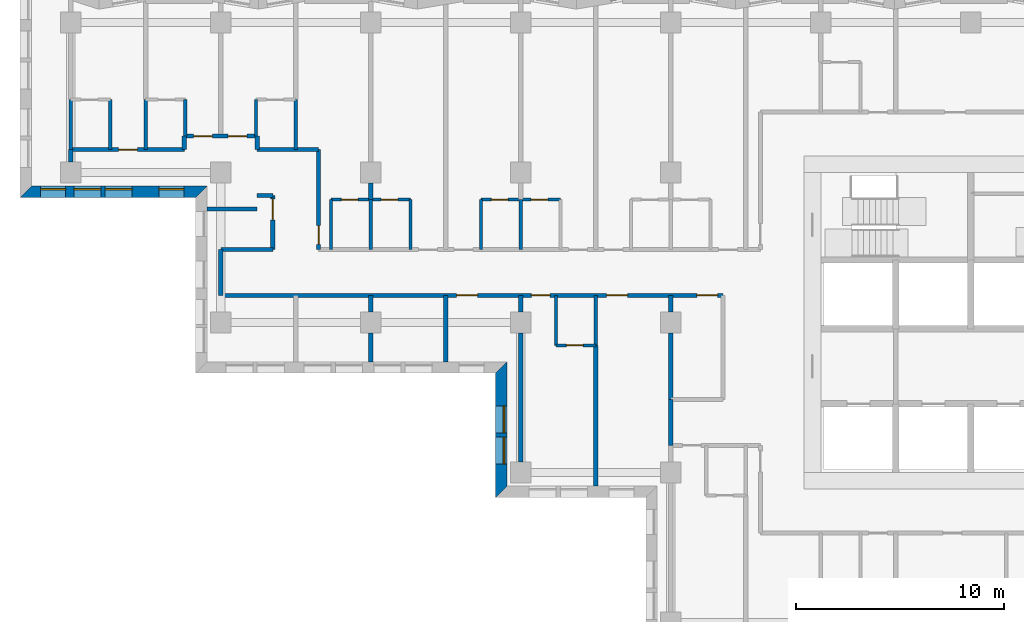
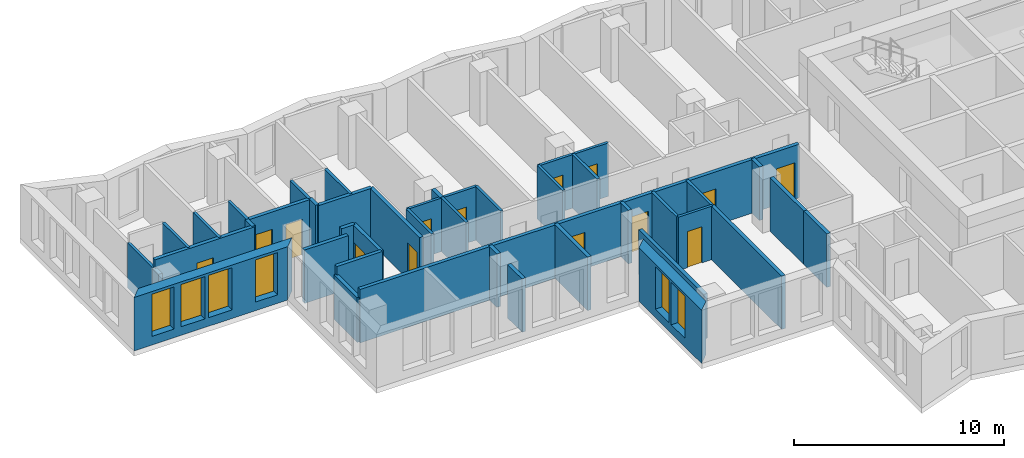
# One storey, part 4 of 14: 41 walls, 14 doors, 6 windows, 20 openings.
"""IFC4 building model written with IfcOpenShell, lengths in metres."""

from ifc_helpers import new_model, si_unit, direction, frame, frame_2d, origin, place, context, subcontext, project, spatial, polyline, rectangle, outline, extrude, material, layer, layer_set, type_object, element, fill, save


model = new_model("IFC4")

# Units and contexts
model_context = context("Model", 3, precision=1e-05, world=origin(), true_north=direction((0.0, 1.0)))
body_context = subcontext(model_context, "Body", "Model", "MODEL_VIEW")
ifc_project = project(units=[si_unit("LENGTHUNIT", "METRE"), si_unit("AREAUNIT", "SQUARE_METRE"), si_unit("VOLUMEUNIT", "CUBIC_METRE"), si_unit("PLANEANGLEUNIT", "RADIAN"), si_unit("MASSUNIT", "GRAM", prefix="KILO")], contexts=[model_context])

# Site, building, storey
site_placement = place(None, origin())
site = spatial("IfcSite", under=ifc_project, at=site_placement, CompositionType="ELEMENT")
building_placement = place(site_placement, origin())
building = spatial("IfcBuilding", under=site, at=building_placement, Name="Windrow Commons", CompositionType="ELEMENT")
storey_placement = place(building_placement, frame((0.0, 0.0, 118.6)))
storey = spatial("IfcBuildingStorey", under=building, at=storey_placement, Name="L32", CompositionType="ELEMENT", Elevation=118.6)

# Wall, openings, windows
ifc_material_1 = material(Name="Brick masonry, red clay brick", Category="masonry")
ifc_layer_1 = layer(ifc_material_1, 0.55)
ifc_layer_set_1 = layer_set([ifc_layer_1], Name="Brick facade wall 550")
wall_type_1 = type_object("IfcWallType", Name="Brick facade wall 550", PredefinedType="SOLIDWALL", material=ifc_layer_set_1)
wall_1_placement = place(storey_placement, frame((19.442, 63.875, 0.0), z_axis=(0.0, 0.0, 1.0), x_axis=(1.0, 0.0, 0.0)))
wall_1 = element("IfcWall", 1, at=wall_1_placement, inside=storey, type_object=wall_type_1, Name="Brick facade wall L32 38", PredefinedType="SOLIDWALL", context=body_context, shape_type="SweptSolid", body=[
    extrude(outline(polyline([(-0.275, -0.275), (8.158, -0.275), (8.708, 0.275), (0.275, 0.275), (-0.275, -0.275)])), origin(), (0.0, 0.0, 1.0), 3.1),
])
opening_1_placement = place(wall_1_placement, frame((2.308, 0.0, 0.5)))
opening_1 = element("IfcOpeningElement", 2, at=opening_1_placement, cuts=wall_1, Name="Opening W1P", PredefinedType="OPENING", context=body_context, shape_type="SweptSolid", body=[
    extrude(rectangle(XDim=1.3, YDim=2.45, at=frame_2d((0.65, 1.225))), frame((0.0, 0.285, 0.0), z_axis=(0.0, -1.0, 0.0), x_axis=(1.0, 0.0, 0.0)), (0.0, 0.0, 1.0), 0.57),
])
opening_2_placement = place(wall_1_placement, frame((3.808, 0.0, 0.5)))
opening_2 = element("IfcOpeningElement", 3, at=opening_2_placement, cuts=wall_1, Name="Opening W1P", PredefinedType="OPENING", context=body_context, shape_type="SweptSolid", body=[
    extrude(rectangle(XDim=1.3, YDim=2.45, at=frame_2d((0.65, 1.225))), frame((0.0, 0.285, 0.0), z_axis=(0.0, -1.0, 0.0), x_axis=(1.0, 0.0, 0.0)), (0.0, 0.0, 1.0), 0.57),
])
opening_3_placement = place(wall_1_placement, frame((0.7165, 0.0, 0.5)))
opening_3 = element("IfcOpeningElement", 4, at=opening_3_placement, cuts=wall_1, Name="Opening W7D", PredefinedType="OPENING", context=body_context, shape_type="SweptSolid", body=[
    extrude(rectangle(XDim=1.2, YDim=2.45, at=frame_2d((0.6, 1.225))), frame((0.0, 0.285, 0.0), z_axis=(0.0, -1.0, 0.0), x_axis=(1.0, 0.0, 0.0)), (0.0, 0.0, 1.0), 0.57),
])
opening_4_placement = place(wall_1_placement, frame((6.3955, 0.0, 0.5)))
opening_4 = element("IfcOpeningElement", 5, at=opening_4_placement, cuts=wall_1, Name="Opening W7D", PredefinedType="OPENING", context=body_context, shape_type="SweptSolid", body=[
    extrude(rectangle(XDim=1.2, YDim=2.45, at=frame_2d((0.6, 1.225))), frame((0.0, 0.285, 0.0), z_axis=(0.0, -1.0, 0.0), x_axis=(1.0, 0.0, 0.0)), (0.0, 0.0, 1.0), 0.57),
])
ifc_material_2 = material(Name="Clear float glass in anodised aluminium frame", Category="aluminium")
window_type_1 = type_object("IfcWindowType", Name="Window W1P pair 1300x2450", PartitioningType="SINGLE_PANEL", PredefinedType="WINDOW", material=ifc_material_2)
window_1_placement = place(opening_1_placement, origin())
window_1 = element("IfcWindow", 6, at=window_1_placement, inside=storey, type_object=window_type_1, Name="Window L32 38.1A", OverallHeight=2.45, OverallWidth=1.3, PartitioningType="SINGLE_PANEL", PredefinedType="WINDOW", context=body_context, shape_type="SweptSolid", body=[
    extrude(rectangle(XDim=1.3, YDim=2.45, at=frame_2d((0.65, 1.225))), frame((0.0, 0.155, 0.0), z_axis=(0.0, -1.0, 0.0), x_axis=(1.0, 0.0, 0.0)), (0.0, 0.0, 1.0), 0.06),
])
fill(opening_1, window_1)
window_2_placement = place(opening_2_placement, origin())
window_2 = element("IfcWindow", 7, at=window_2_placement, inside=storey, type_object=window_type_1, Name="Window L32 38.1B", OverallHeight=2.45, OverallWidth=1.3, PartitioningType="SINGLE_PANEL", PredefinedType="WINDOW", context=body_context, shape_type="SweptSolid", body=[
    extrude(rectangle(XDim=1.3, YDim=2.45, at=frame_2d((0.65, 1.225))), frame((0.0, 0.155, 0.0), z_axis=(0.0, -1.0, 0.0), x_axis=(1.0, 0.0, 0.0)), (0.0, 0.0, 1.0), 0.06),
])
fill(opening_2, window_2)
ifc_material_3 = material(Name="Clear float glass in anodised aluminium frame", Category="aluminium")
window_type_2 = type_object("IfcWindowType", Name="Window W7 notch 1200x2450", PartitioningType="SINGLE_PANEL", PredefinedType="WINDOW", material=ifc_material_3)
window_3_placement = place(opening_3_placement, origin())
window_3 = element("IfcWindow", 8, at=window_3_placement, inside=storey, type_object=window_type_2, Name="Window L32 38.2", OverallHeight=2.45, OverallWidth=1.2, PartitioningType="SINGLE_PANEL", PredefinedType="WINDOW", context=body_context, shape_type="SweptSolid", body=[
    extrude(rectangle(XDim=1.2, YDim=2.45, at=frame_2d((0.6, 1.225))), frame((0.0, 0.155, 0.0), z_axis=(0.0, -1.0, 0.0), x_axis=(1.0, 0.0, 0.0)), (0.0, 0.0, 1.0), 0.06),
])
fill(opening_3, window_3)
window_4_placement = place(opening_4_placement, origin())
window_4 = element("IfcWindow", 9, at=window_4_placement, inside=storey, type_object=window_type_2, Name="Window L32 38.3", OverallHeight=2.45, OverallWidth=1.2, PartitioningType="SINGLE_PANEL", PredefinedType="WINDOW", context=body_context, shape_type="SweptSolid", body=[
    extrude(rectangle(XDim=1.2, YDim=2.45, at=frame_2d((0.6, 1.225))), frame((0.0, 0.155, 0.0), z_axis=(0.0, -1.0, 0.0), x_axis=(1.0, 0.0, 0.0)), (0.0, 0.0, 1.0), 0.06),
])
fill(opening_4, window_4)

wall_2_placement = place(storey_placement, frame((42.275, 55.442, 0.0), z_axis=(0.0, 0.0, 1.0), x_axis=(0.0, -1.0, 0.0)))
wall_2 = element("IfcWall", 10, at=wall_2_placement, inside=storey, type_object=wall_type_1, Name="Brick facade wall L32 41", PredefinedType="SOLIDWALL", context=body_context, shape_type="SweptSolid", body=[
    extrude(outline(polyline([(0.275, -0.275), (6.242, -0.275), (5.692, 0.275), (-0.275, 0.275), (0.275, -0.275)])), origin(), (0.0, 0.0, 1.0), 3.1),
])
opening_5_placement = place(wall_2_placement, frame((1.842, 0.0, 0.5)))
opening_5 = element("IfcOpeningElement", 11, at=opening_5_placement, cuts=wall_2, Name="Opening W1P", PredefinedType="OPENING", context=body_context, shape_type="SweptSolid", body=[
    extrude(rectangle(XDim=1.3, YDim=2.45, at=frame_2d((0.65, 1.225))), frame((0.0, 0.285, 0.0), z_axis=(0.0, -1.0, 0.0), x_axis=(1.0, 0.0, 0.0)), (0.0, 0.0, 1.0), 0.57),
])
opening_6_placement = place(wall_2_placement, frame((3.342, 0.0, 0.5)))
opening_6 = element("IfcOpeningElement", 12, at=opening_6_placement, cuts=wall_2, Name="Opening W1P", PredefinedType="OPENING", context=body_context, shape_type="SweptSolid", body=[
    extrude(rectangle(XDim=1.3, YDim=2.45, at=frame_2d((0.65, 1.225))), frame((0.0, 0.285, 0.0), z_axis=(0.0, -1.0, 0.0), x_axis=(1.0, 0.0, 0.0)), (0.0, 0.0, 1.0), 0.57),
])
window_5_placement = place(opening_5_placement, origin())
window_5 = element("IfcWindow", 13, at=window_5_placement, inside=storey, type_object=window_type_1, Name="Window L32 41.1A", OverallHeight=2.45, OverallWidth=1.3, PartitioningType="SINGLE_PANEL", PredefinedType="WINDOW", context=body_context, shape_type="SweptSolid", body=[
    extrude(rectangle(XDim=1.3, YDim=2.45, at=frame_2d((0.65, 1.225))), frame((0.0, 0.155, 0.0), z_axis=(0.0, -1.0, 0.0), x_axis=(1.0, 0.0, 0.0)), (0.0, 0.0, 1.0), 0.06),
])
fill(opening_5, window_5)
window_6_placement = place(opening_6_placement, origin())
window_6 = element("IfcWindow", 14, at=window_6_placement, inside=storey, type_object=window_type_1, Name="Window L32 41.1B", OverallHeight=2.45, OverallWidth=1.3, PartitioningType="SINGLE_PANEL", PredefinedType="WINDOW", context=body_context, shape_type="SweptSolid", body=[
    extrude(rectangle(XDim=1.3, YDim=2.45, at=frame_2d((0.65, 1.225))), frame((0.0, 0.155, 0.0), z_axis=(0.0, -1.0, 0.0), x_axis=(1.0, 0.0, 0.0)), (0.0, 0.0, 1.0), 0.06),
])
fill(opening_6, window_6)

# Wall, openings, doors
ifc_material_4 = material(Name="Blockwork partition", Category="masonry")
ifc_layer_2 = layer(ifc_material_4, 0.2)
ifc_layer_set_2 = layer_set([ifc_layer_2], Name="IW-CORRIDOR-200")
wall_type_2 = type_object("IfcWallType", Name="IW-CORRIDOR-200", PredefinedType="PARTITIONING", material=ifc_layer_set_2)
wall_3_placement = place(storey_placement, frame((28.802, 58.9, 0.0), z_axis=(0.0, 0.0, 1.0), x_axis=(1.0, 0.0, 0.0)))
wall_3 = element("IfcWall", 15, at=wall_3_placement, inside=storey, type_object=wall_type_2, Name="W-L32-W000", PredefinedType="PARTITIONING", context=body_context, shape_type="SweptSolid", body=[
    extrude(rectangle(XDim=24.098, YDim=0.2, at=frame_2d((12.049, 0.0))), origin(), (0.0, 0.0, 1.0), 3.1),
])
opening_7_placement = place(wall_3_placement, frame((11.323, 0.0, 0.0)))
opening_7 = element("IfcOpeningElement", 16, at=opening_7_placement, cuts=wall_3, Name="Opening D310F", PredefinedType="OPENING", context=body_context, shape_type="SweptSolid", body=[
    extrude(rectangle(XDim=1.0, YDim=2.1, at=frame_2d((0.5, 1.05))), frame((0.0, 0.11, 0.0), z_axis=(0.0, -1.0, 0.0), x_axis=(1.0, 0.0, 0.0)), (0.0, 0.0, 1.0), 0.22),
])
opening_8_placement = place(wall_3_placement, frame((14.908, 0.0, 0.0)))
opening_8 = element("IfcOpeningElement", 17, at=opening_8_placement, cuts=wall_3, Name="Opening D109S", PredefinedType="OPENING", context=body_context, shape_type="SweptSolid", body=[
    extrude(rectangle(XDim=0.9, YDim=2.1, at=frame_2d((0.45, 1.05))), frame((0.0, 0.11, 0.0), z_axis=(0.0, -1.0, 0.0), x_axis=(1.0, 0.0, 0.0)), (0.0, 0.0, 1.0), 0.22),
])
opening_9_placement = place(wall_3_placement, frame((18.523, 0.0, 0.0)))
opening_9 = element("IfcOpeningElement", 18, at=opening_9_placement, cuts=wall_3, Name="Opening D310F", PredefinedType="OPENING", context=body_context, shape_type="SweptSolid", body=[
    extrude(rectangle(XDim=1.0, YDim=2.1, at=frame_2d((0.5, 1.05))), frame((0.0, 0.11, 0.0), z_axis=(0.0, -1.0, 0.0), x_axis=(1.0, 0.0, 0.0)), (0.0, 0.0, 1.0), 0.22),
])
opening_10_placement = place(wall_3_placement, frame((22.8451, 0.0, 0.0)))
opening_10 = element("IfcOpeningElement", 19, at=opening_10_placement, cuts=wall_3, Name="Opening D410F", PredefinedType="OPENING", context=body_context, shape_type="SweptSolid", body=[
    extrude(rectangle(XDim=1.0, YDim=2.1, at=frame_2d((0.5, 1.05))), frame((0.0, 0.11, 0.0), z_axis=(0.0, -1.0, 0.0), x_axis=(1.0, 0.0, 0.0)), (0.0, 0.0, 1.0), 0.22),
])
ifc_material_5 = material(Name="Timber door leaf", Category="wood")
door_type_1 = type_object("IfcDoorType", Name="DT-AMENITY-1000", OperationType="SINGLE_SWING_LEFT", PredefinedType="DOOR", material=ifc_material_5)
door_1_placement = place(opening_7_placement, origin())
door_1 = element("IfcDoor", 20, at=door_1_placement, inside=storey, type_object=door_type_1, Name="D-L32-D003", OperationType="SINGLE_SWING_RIGHT", OverallHeight=2.1, OverallWidth=1.0, PredefinedType="DOOR", context=body_context, shape_type="SweptSolid", body=[
    extrude(rectangle(XDim=1.0, YDim=2.1, at=frame_2d((0.5, 1.05))), frame((0.0, 0.025, 0.0), z_axis=(0.0, -1.0, 0.0), x_axis=(1.0, 0.0, 0.0)), (0.0, 0.0, 1.0), 0.05),
])
fill(opening_7, door_1)
door_2_placement = place(opening_9_placement, origin())
door_2 = element("IfcDoor", 21, at=door_2_placement, inside=storey, type_object=door_type_1, Name="D-L32-D006", OperationType="SINGLE_SWING_RIGHT", OverallHeight=2.1, OverallWidth=1.0, PredefinedType="DOOR", context=body_context, shape_type="SweptSolid", body=[
    extrude(rectangle(XDim=1.0, YDim=2.1, at=frame_2d((0.5, 1.05))), frame((0.0, 0.025, 0.0), z_axis=(0.0, -1.0, 0.0), x_axis=(1.0, 0.0, 0.0)), (0.0, 0.0, 1.0), 0.05),
])
fill(opening_9, door_2)
ifc_material_6 = material(Name="Timber door leaf", Category="wood")
door_type_2 = type_object("IfcDoorType", Name="DT-BEDROOM-900", OperationType="SINGLE_SWING_LEFT", PredefinedType="DOOR", material=ifc_material_6)
door_3_placement = place(opening_8_placement, origin())
door_3 = element("IfcDoor", 22, at=door_3_placement, inside=storey, type_object=door_type_2, Name="D-L32-D004", OperationType="SINGLE_SWING_LEFT", OverallHeight=2.1, OverallWidth=0.9, PredefinedType="DOOR", context=body_context, shape_type="SweptSolid", body=[
    extrude(rectangle(XDim=0.9, YDim=2.1, at=frame_2d((0.45, 1.05))), frame((0.0, 0.025, 0.0), z_axis=(0.0, -1.0, 0.0), x_axis=(1.0, 0.0, 0.0)), (0.0, 0.0, 1.0), 0.05),
])
fill(opening_8, door_3)
ifc_material_7 = material(Name="Timber door leaf", Category="wood")
door_type_3 = type_object("IfcDoorType", Name="DT-SERVICE-1000", OperationType="SINGLE_SWING_LEFT", PredefinedType="DOOR", material=ifc_material_7)
door_4_placement = place(opening_10_placement, origin())
door_4 = element("IfcDoor", 23, at=door_4_placement, inside=storey, type_object=door_type_3, Name="D-L32-D010", OperationType="SINGLE_SWING_LEFT", OverallHeight=2.1, OverallWidth=1.0, PredefinedType="DOOR", context=body_context, shape_type="SweptSolid", body=[
    extrude(rectangle(XDim=1.0, YDim=2.1, at=frame_2d((0.5, 1.05))), frame((0.0, 0.025, 0.0), z_axis=(0.0, -1.0, 0.0), x_axis=(1.0, 0.0, 0.0)), (0.0, 0.0, 1.0), 0.05),
])
fill(opening_10, door_4)

# Wall, opening, door
wall_4_placement = place(storey_placement, frame((21.6, 65.9, 0.0), z_axis=(0.0, 0.0, 1.0), x_axis=(1.0, 0.0, 0.0)))
wall_4 = element("IfcWall", 24, at=wall_4_placement, inside=storey, type_object=wall_type_2, Name="W-L32-W037", PredefinedType="PARTITIONING", context=body_context, shape_type="SweptSolid", body=[
    extrude(rectangle(XDim=5.45, YDim=0.2, at=frame_2d((2.725, 0.0))), origin(), (0.0, 0.0, 1.0), 3.1),
])
opening_11_placement = place(wall_4_placement, frame((2.3, 0.0, 0.0)))
opening_11 = element("IfcOpeningElement", 25, at=opening_11_placement, cuts=wall_4, Name="Opening D109S", PredefinedType="OPENING", context=body_context, shape_type="SweptSolid", body=[
    extrude(rectangle(XDim=0.9, YDim=2.1, at=frame_2d((0.45, 1.05))), frame((0.0, 0.11, 0.0), z_axis=(0.0, -1.0, 0.0), x_axis=(1.0, 0.0, 0.0)), (0.0, 0.0, 1.0), 0.22),
])
door_5_placement = place(opening_11_placement, origin())
door_5 = element("IfcDoor", 26, at=door_5_placement, inside=storey, type_object=door_type_2, Name="D-L32-D019", OperationType="SINGLE_SWING_RIGHT", OverallHeight=2.1, OverallWidth=0.9, PredefinedType="DOOR", context=body_context, shape_type="SweptSolid", body=[
    extrude(rectangle(XDim=0.9, YDim=2.1, at=frame_2d((0.45, 1.05))), frame((0.0, 0.025, 0.0), z_axis=(0.0, -1.0, 0.0), x_axis=(1.0, 0.0, 0.0)), (0.0, 0.0, 1.0), 0.05),
])
fill(opening_11, door_5)

wall_5_placement = place(storey_placement, frame((33.5, 61.102, 0.0), z_axis=(0.0, 0.0, 1.0), x_axis=(0.0, 1.0, 0.0)))
wall_5 = element("IfcWall", 27, at=wall_5_placement, inside=storey, type_object=wall_type_2, Name="W-L32-W045", PredefinedType="PARTITIONING", context=body_context, shape_type="SweptSolid", body=[
    extrude(rectangle(XDim=4.798, YDim=0.2, at=frame_2d((2.399, 0.0))), origin(), (0.0, 0.0, 1.0), 3.1),
])
opening_12_placement = place(wall_5_placement, frame((0.253, 0.0, 0.0)))
opening_12 = element("IfcOpeningElement", 28, at=opening_12_placement, cuts=wall_5, Name="Opening D109S", PredefinedType="OPENING", context=body_context, shape_type="SweptSolid", body=[
    extrude(rectangle(XDim=0.9, YDim=2.1, at=frame_2d((0.45, 1.05))), frame((0.0, 0.11, 0.0), z_axis=(0.0, -1.0, 0.0), x_axis=(1.0, 0.0, 0.0)), (0.0, 0.0, 1.0), 0.22),
])
door_6_placement = place(opening_12_placement, origin())
door_6 = element("IfcDoor", 29, at=door_6_placement, inside=storey, type_object=door_type_2, Name="D-L32-D025", OperationType="SINGLE_SWING_LEFT", OverallHeight=2.1, OverallWidth=0.9, PredefinedType="DOOR", context=body_context, shape_type="SweptSolid", body=[
    extrude(rectangle(XDim=0.9, YDim=2.1, at=frame_2d((0.45, 1.05))), frame((0.0, 0.025, 0.0), z_axis=(0.0, -1.0, 0.0), x_axis=(1.0, 0.0, 0.0)), (0.0, 0.0, 1.0), 0.05),
])
fill(opening_12, door_6)

# Wall, openings, doors
wall_6_placement = place(storey_placement, frame((27.1, 66.55, 0.0), z_axis=(0.0, 0.0, 1.0), x_axis=(1.0, 0.0, 0.0)))
wall_6 = element("IfcWall", 30, at=wall_6_placement, inside=storey, type_object=wall_type_2, Name="W-L32-W057", PredefinedType="PARTITIONING", context=body_context, shape_type="SweptSolid", body=[
    extrude(rectangle(XDim=3.4, YDim=0.2, at=frame_2d((1.7, 0.0))), origin(), (0.0, 0.0, 1.0), 3.1),
])
opening_13_placement = place(wall_6_placement, frame((0.4, 0.0, 0.0)))
opening_13 = element("IfcOpeningElement", 31, at=opening_13_placement, cuts=wall_6, Name="Opening D109S", PredefinedType="OPENING", context=body_context, shape_type="SweptSolid", body=[
    extrude(rectangle(XDim=0.9, YDim=2.1, at=frame_2d((0.45, 1.05))), frame((0.0, 0.11, 0.0), z_axis=(0.0, -1.0, 0.0), x_axis=(1.0, 0.0, 0.0)), (0.0, 0.0, 1.0), 0.22),
])
opening_14_placement = place(wall_6_placement, frame((2.05, 0.0, 0.0)))
opening_14 = element("IfcOpeningElement", 32, at=opening_14_placement, cuts=wall_6, Name="Opening D109S", PredefinedType="OPENING", context=body_context, shape_type="SweptSolid", body=[
    extrude(rectangle(XDim=0.9, YDim=2.1, at=frame_2d((0.45, 1.05))), frame((0.0, 0.11, 0.0), z_axis=(0.0, -1.0, 0.0), x_axis=(1.0, 0.0, 0.0)), (0.0, 0.0, 1.0), 0.22),
])
door_7_placement = place(opening_13_placement, origin())
door_7 = element("IfcDoor", 33, at=door_7_placement, inside=storey, type_object=door_type_2, Name="D-L32-D021", OperationType="SINGLE_SWING_LEFT", OverallHeight=2.1, OverallWidth=0.9, PredefinedType="DOOR", context=body_context, shape_type="SweptSolid", body=[
    extrude(rectangle(XDim=0.9, YDim=2.1, at=frame_2d((0.45, 1.05))), frame((0.0, 0.025, 0.0), z_axis=(0.0, -1.0, 0.0), x_axis=(1.0, 0.0, 0.0)), (0.0, 0.0, 1.0), 0.05),
])
fill(opening_13, door_7)
door_8_placement = place(opening_14_placement, origin())
door_8 = element("IfcDoor", 34, at=door_8_placement, inside=storey, type_object=door_type_2, Name="D-L32-D023", OperationType="SINGLE_SWING_RIGHT", OverallHeight=2.1, OverallWidth=0.9, PredefinedType="DOOR", context=body_context, shape_type="SweptSolid", body=[
    extrude(rectangle(XDim=0.9, YDim=2.1, at=frame_2d((0.45, 1.05))), frame((0.0, 0.025, 0.0), z_axis=(0.0, -1.0, 0.0), x_axis=(1.0, 0.0, 0.0)), (0.0, 0.0, 1.0), 0.05),
])
fill(opening_14, door_8)

# Wall
wall_7_placement = place(storey_placement, frame((30.552, 65.9, 0.0), z_axis=(0.0, 0.0, 1.0), x_axis=(1.0, 0.0, 0.0)))
element("IfcWall", 35, at=wall_7_placement, inside=storey, type_object=wall_type_2, Name="W-L32-W070", PredefinedType="PARTITIONING", context=body_context, shape_type="SweptSolid", body=[
    extrude(rectangle(XDim=2.948, YDim=0.2, at=frame_2d((1.474, 0.0))), origin(), (0.0, 0.0, 1.0), 3.1),
])

# Wall, opening, door
wall_8_placement = place(storey_placement, frame((31.3, 61.102, 0.0), z_axis=(0.0, 0.0, 1.0), x_axis=(0.0, 1.0, 0.0)))
wall_8 = element("IfcWall", 36, at=wall_8_placement, inside=storey, type_object=wall_type_2, Name="W-L32-W080", PredefinedType="PARTITIONING", context=body_context, shape_type="SweptSolid", body=[
    extrude(rectangle(XDim=2.596, YDim=0.2, at=frame_2d((1.298, 0.0))), origin(), (0.0, 0.0, 1.0), 3.1),
])
opening_15_placement = place(wall_8_placement, frame((1.4212, 0.0, 0.0)))
opening_15 = element("IfcOpeningElement", 37, at=opening_15_placement, cuts=wall_8, Name="Opening D310F", PredefinedType="OPENING", context=body_context, shape_type="SweptSolid", body=[
    extrude(rectangle(XDim=1.0, YDim=2.1, at=frame_2d((0.5, 1.05))), frame((0.0, 0.11, 0.0), z_axis=(0.0, -1.0, 0.0), x_axis=(1.0, 0.0, 0.0)), (0.0, 0.0, 1.0), 0.22),
])
door_9_placement = place(opening_15_placement, origin())
door_9 = element("IfcDoor", 38, at=door_9_placement, inside=storey, type_object=door_type_1, Name="D-L32-D000", OperationType="SINGLE_SWING_LEFT", OverallHeight=2.1, OverallWidth=1.0, PredefinedType="DOOR", context=body_context, shape_type="SweptSolid", body=[
    extrude(rectangle(XDim=1.0, YDim=2.1, at=frame_2d((0.5, 1.05))), frame((0.0, 0.025, 0.0), z_axis=(0.0, -1.0, 0.0), x_axis=(1.0, 0.0, 0.0)), (0.0, 0.0, 1.0), 0.05),
])
fill(opening_15, door_9)

# Walls
wall_9_placement = place(storey_placement, frame((28.802, 61.1, 0.0), z_axis=(0.0, 0.0, 1.0), x_axis=(1.0, 0.0, 0.0)))
element("IfcWall", 39, at=wall_9_placement, inside=storey, type_object=wall_type_2, Name="W-L32-W082", PredefinedType="PARTITIONING", context=body_context, shape_type="SweptSolid", body=[
    extrude(rectangle(XDim=2.496, YDim=0.2, at=frame_2d((1.248, 0.0))), origin(), (0.0, 0.0, 1.0), 3.1),
])
wall_10_placement = place(storey_placement, frame((28.15, 63.05, 0.0), z_axis=(0.0, 0.0, 1.0), x_axis=(1.0, 0.0, 0.0)))
element("IfcWall", 40, at=wall_10_placement, inside=storey, type_object=wall_type_2, Name="W-L32-W125", PredefinedType="PARTITIONING", context=body_context, shape_type="SweptSolid", body=[
    extrude(rectangle(XDim=2.4, YDim=0.2, at=frame_2d((1.2, 0.0))), origin(), (0.0, 0.0, 1.0), 3.1),
])
wall_11_placement = place(storey_placement, frame((50.4, 51.7, 0.0), z_axis=(0.0, 0.0, 1.0), x_axis=(0.0, 1.0, 0.0)))
element("IfcWall", 41, at=wall_11_placement, inside=storey, type_object=wall_type_2, Name="W-L32-W129", PredefinedType="PARTITIONING", context=body_context, shape_type="SweptSolid", body=[
    extrude(rectangle(XDim=2.2, YDim=0.2, at=frame_2d((1.1, 0.0))), origin(), (0.0, 0.0, 1.0), 3.1),
])
wall_12_placement = place(storey_placement, frame((28.8, 58.902, 0.0), z_axis=(0.0, 0.0, 1.0), x_axis=(0.0, 1.0, 0.0)))
element("IfcWall", 42, at=wall_12_placement, inside=storey, type_object=wall_type_2, Name="W-L32-W130", PredefinedType="PARTITIONING", context=body_context, shape_type="SweptSolid", body=[
    extrude(rectangle(XDim=2.198, YDim=0.2, at=frame_2d((1.099, 0.0))), origin(), (0.0, 0.0, 1.0), 2.6),
])
wall_13_placement = place(storey_placement, frame((30.552, 63.7, 0.0), z_axis=(0.0, 0.0, 1.0), x_axis=(1.0, 0.0, 0.0)))
element("IfcWall", 43, at=wall_13_placement, inside=storey, type_object=wall_type_2, Name="W-L32-W180", PredefinedType="PARTITIONING", context=body_context, shape_type="SweptSolid", body=[
    extrude(rectangle(XDim=0.746, YDim=0.2, at=frame_2d((0.373, 0.0))), origin(), (0.0, 0.0, 1.0), 3.1),
])
for number, where, z_axis, x_axis, name in (
    (44, (27.05, 65.9, 0.0), (0.0, 0.0, 1.0), (0.0, 1.0, 0.0), "W-L32-W183"),
    (45, (30.55, 65.9, 0.0), (0.0, 0.0, 1.0), (0.0, 1.0, 0.0), "W-L32-W184"),
):
    element("IfcWall", number, at=place(storey_placement, frame(where, z_axis=z_axis, x_axis=x_axis)), inside=storey, type_object=wall_type_2, Name=name, PredefinedType="PARTITIONING", context=body_context, shape_type="SweptSolid", body=[
        extrude(rectangle(XDim=0.65, YDim=0.2, at=frame_2d((0.325, 0.0))), origin(), (0.0, 0.0, 1.0), 3.1),
    ])
wall_14_placement = place(storey_placement, frame((21.6, 65.3, 0.0), z_axis=(0.0, 0.0, 1.0), x_axis=(0.0, 1.0, 0.0)))
element("IfcWall", 46, at=wall_14_placement, inside=storey, type_object=wall_type_2, Name="W-L32-W187", PredefinedType="PARTITIONING", context=body_context, shape_type="SweptSolid", body=[
    extrude(rectangle(XDim=0.6, YDim=0.2, at=frame_2d((0.3, 0.0))), origin(), (0.0, 0.0, 1.0), 2.6),
])

# Wall, openings, doors
ifc_material_8 = material(Name="Blockwork partition", Category="masonry")
ifc_layer_3 = layer(ifc_material_8, 0.15)
ifc_layer_set_3 = layer_set([ifc_layer_3], Name="IW-ENSUITE-150")
wall_type_3 = type_object("IfcWallType", Name="IW-ENSUITE-150", PredefinedType="PARTITIONING", material=ifc_layer_set_3)
wall_15_placement = place(storey_placement, frame((41.3, 63.5, 0.0), z_axis=(0.0, 0.0, 1.0), x_axis=(1.0, 0.0, 0.0)))
wall_15 = element("IfcWall", 47, at=wall_15_placement, inside=storey, type_object=wall_type_3, Name="W-L32-W052", PredefinedType="PARTITIONING", context=body_context, shape_type="SweptSolid", body=[
    extrude(rectangle(XDim=3.8, YDim=0.15, at=frame_2d((1.9, 0.0))), origin(), (0.0, 0.0, 1.0), 3.1),
])
opening_16_placement = place(wall_15_placement, frame((0.4931, 0.0, 0.0)))
opening_16 = element("IfcOpeningElement", 48, at=opening_16_placement, cuts=wall_15, Name="Opening D208N", PredefinedType="OPENING", context=body_context, shape_type="SweptSolid", body=[
    extrude(rectangle(XDim=0.8, YDim=2.1, at=frame_2d((0.4, 1.05))), frame((0.0, 0.085, 0.0), z_axis=(0.0, -1.0, 0.0), x_axis=(1.0, 0.0, 0.0)), (0.0, 0.0, 1.0), 0.17),
])
opening_17_placement = place(wall_15_placement, frame((2.4021, 0.0, 0.0)))
opening_17 = element("IfcOpeningElement", 49, at=opening_17_placement, cuts=wall_15, Name="Opening D208N", PredefinedType="OPENING", context=body_context, shape_type="SweptSolid", body=[
    extrude(rectangle(XDim=0.8, YDim=2.1, at=frame_2d((0.4, 1.05))), frame((0.0, 0.085, 0.0), z_axis=(0.0, -1.0, 0.0), x_axis=(1.0, 0.0, 0.0)), (0.0, 0.0, 1.0), 0.17),
])
ifc_material_9 = material(Name="Timber door leaf", Category="wood")
door_type_4 = type_object("IfcDoorType", Name="DT-ENSUITE-800", OperationType="SINGLE_SWING_LEFT", PredefinedType="DOOR", material=ifc_material_9)
door_10_placement = place(opening_16_placement, origin())
door_10 = element("IfcDoor", 50, at=door_10_placement, inside=storey, type_object=door_type_4, Name="D-L32-D030", OperationType="SINGLE_SWING_RIGHT", OverallHeight=2.1, OverallWidth=0.8, PredefinedType="DOOR", context=body_context, shape_type="SweptSolid", body=[
    extrude(rectangle(XDim=0.8, YDim=2.1, at=frame_2d((0.4, 1.05))), frame((0.0, 0.025, 0.0), z_axis=(0.0, -1.0, 0.0), x_axis=(1.0, 0.0, 0.0)), (0.0, 0.0, 1.0), 0.05),
])
fill(opening_16, door_10)
door_11_placement = place(opening_17_placement, origin())
door_11 = element("IfcDoor", 51, at=door_11_placement, inside=storey, type_object=door_type_4, Name="D-L32-D032", OperationType="SINGLE_SWING_RIGHT", OverallHeight=2.1, OverallWidth=0.8, PredefinedType="DOOR", context=body_context, shape_type="SweptSolid", body=[
    extrude(rectangle(XDim=0.8, YDim=2.1, at=frame_2d((0.4, 1.05))), frame((0.0, 0.025, 0.0), z_axis=(0.0, -1.0, 0.0), x_axis=(1.0, 0.0, 0.0)), (0.0, 0.0, 1.0), 0.05),
])
fill(opening_17, door_11)

wall_16_placement = place(storey_placement, frame((34.1, 63.5, 0.0), z_axis=(0.0, 0.0, 1.0), x_axis=(1.0, 0.0, 0.0)))
wall_16 = element("IfcWall", 52, at=wall_16_placement, inside=storey, type_object=wall_type_3, Name="W-L32-W053", PredefinedType="PARTITIONING", context=body_context, shape_type="SweptSolid", body=[
    extrude(rectangle(XDim=3.8, YDim=0.15, at=frame_2d((1.9, 0.0))), origin(), (0.0, 0.0, 1.0), 3.1),
])
opening_18_placement = place(wall_16_placement, frame((0.4931, 0.0, 0.0)))
opening_18 = element("IfcOpeningElement", 53, at=opening_18_placement, cuts=wall_16, Name="Opening D208N", PredefinedType="OPENING", context=body_context, shape_type="SweptSolid", body=[
    extrude(rectangle(XDim=0.8, YDim=2.1, at=frame_2d((0.4, 1.05))), frame((0.0, 0.085, 0.0), z_axis=(0.0, -1.0, 0.0), x_axis=(1.0, 0.0, 0.0)), (0.0, 0.0, 1.0), 0.17),
])
opening_19_placement = place(wall_16_placement, frame((2.4021, 0.0, 0.0)))
opening_19 = element("IfcOpeningElement", 54, at=opening_19_placement, cuts=wall_16, Name="Opening D208N", PredefinedType="OPENING", context=body_context, shape_type="SweptSolid", body=[
    extrude(rectangle(XDim=0.8, YDim=2.1, at=frame_2d((0.4, 1.05))), frame((0.0, 0.085, 0.0), z_axis=(0.0, -1.0, 0.0), x_axis=(1.0, 0.0, 0.0)), (0.0, 0.0, 1.0), 0.17),
])
door_12_placement = place(opening_18_placement, origin())
door_12 = element("IfcDoor", 55, at=door_12_placement, inside=storey, type_object=door_type_4, Name="D-L32-D026", OperationType="SINGLE_SWING_RIGHT", OverallHeight=2.1, OverallWidth=0.8, PredefinedType="DOOR", context=body_context, shape_type="SweptSolid", body=[
    extrude(rectangle(XDim=0.8, YDim=2.1, at=frame_2d((0.4, 1.05))), frame((0.0, 0.025, 0.0), z_axis=(0.0, -1.0, 0.0), x_axis=(1.0, 0.0, 0.0)), (0.0, 0.0, 1.0), 0.05),
])
fill(opening_18, door_12)
door_13_placement = place(opening_19_placement, origin())
door_13 = element("IfcDoor", 56, at=door_13_placement, inside=storey, type_object=door_type_4, Name="D-L32-D028", OperationType="SINGLE_SWING_RIGHT", OverallHeight=2.1, OverallWidth=0.8, PredefinedType="DOOR", context=body_context, shape_type="SweptSolid", body=[
    extrude(rectangle(XDim=0.8, YDim=2.1, at=frame_2d((0.4, 1.05))), frame((0.0, 0.025, 0.0), z_axis=(0.0, -1.0, 0.0), x_axis=(1.0, 0.0, 0.0)), (0.0, 0.0, 1.0), 0.05),
])
fill(opening_19, door_13)

# Walls
for number, where, z_axis, x_axis, name in (
    (57, (34.1, 61.1, 0.0), (0.0, 0.0, 1.0), (0.0, 1.0, 0.0), "W-L32-W088"),
    (58, (36.0, 61.1, 0.0), (0.0, 0.0, 1.0), (0.0, 1.0, 0.0), "W-L32-W089"),
    (59, (37.9, 61.1, 0.0), (0.0, 0.0, 1.0), (0.0, 1.0, 0.0), "W-L32-W090"),
    (60, (41.3, 61.1, 0.0), (0.0, 0.0, 1.0), (0.0, 1.0, 0.0), "W-L32-W091"),
    (61, (43.2, 61.1, 0.0), (0.0, 0.0, 1.0), (0.0, 1.0, 0.0), "W-L32-W092"),
    (62, (44.9, 56.5, 0.0), (0.0, 0.0, 1.0), (0.0, 1.0, 0.0), "W-L32-W094"),
    (63, (46.8, 56.5, 0.0), (0.0, 0.0, 1.0), (0.0, 1.0, 0.0), "W-L32-W095"),
):
    element("IfcWall", number, at=place(storey_placement, frame(where, z_axis=z_axis, x_axis=x_axis)), inside=storey, type_object=wall_type_3, Name=name, PredefinedType="PARTITIONING", context=body_context, shape_type="SweptSolid", body=[
        extrude(rectangle(XDim=2.4, YDim=0.15, at=frame_2d((1.2, 0.0))), origin(), (0.0, 0.0, 1.0), 3.1),
    ])
wall_17_placement = place(storey_placement, frame((21.6, 65.9, 0.0), z_axis=(0.0, 0.0, 1.0), x_axis=(0.0, 1.0, 0.0)))
element("IfcWall", 64, at=wall_17_placement, inside=storey, type_object=wall_type_3, Name="W-L32-W105", PredefinedType="PARTITIONING", context=body_context, shape_type="SweptSolid", body=[
    extrude(rectangle(XDim=2.4, YDim=0.15, at=frame_2d((1.2, 0.0))), origin(), (0.0, 0.0, 1.0), 2.6),
])
for number, where, z_axis, x_axis, name in (
    (65, (23.5, 65.9, 0.0), (0.0, 0.0, 1.0), (0.0, 1.0, 0.0), "W-L32-W106"),
    (66, (25.2, 65.9, 0.0), (0.0, 0.0, 1.0), (0.0, 1.0, 0.0), "W-L32-W107"),
    (67, (32.4, 65.9, 0.0), (0.0, 0.0, 1.0), (0.0, 1.0, 0.0), "W-L32-W108"),
):
    element("IfcWall", number, at=place(storey_placement, frame(where, z_axis=z_axis, x_axis=x_axis)), inside=storey, type_object=wall_type_3, Name=name, PredefinedType="PARTITIONING", context=body_context, shape_type="SweptSolid", body=[
        extrude(rectangle(XDim=2.4, YDim=0.15, at=frame_2d((1.2, 0.0))), origin(), (0.0, 0.0, 1.0), 3.1),
    ])

# Wall, opening, door
wall_18_placement = place(storey_placement, frame((44.9, 56.5, 0.0), z_axis=(0.0, 0.0, 1.0), x_axis=(1.0, 0.0, 0.0)))
wall_18 = element("IfcWall", 68, at=wall_18_placement, inside=storey, type_object=wall_type_3, Name="W-L32-W146", PredefinedType="PARTITIONING", context=body_context, shape_type="SweptSolid", body=[
    extrude(rectangle(XDim=1.9, YDim=0.15, at=frame_2d((0.95, 0.0))), origin(), (0.0, 0.0, 1.0), 3.1),
])
opening_20_placement = place(wall_18_placement, frame((0.4931, 0.0, 0.0)))
opening_20 = element("IfcOpeningElement", 69, at=opening_20_placement, cuts=wall_18, Name="Opening D208N", PredefinedType="OPENING", context=body_context, shape_type="SweptSolid", body=[
    extrude(rectangle(XDim=0.8, YDim=2.1, at=frame_2d((0.4, 1.05))), frame((0.0, 0.085, 0.0), z_axis=(0.0, -1.0, 0.0), x_axis=(1.0, 0.0, 0.0)), (0.0, 0.0, 1.0), 0.17),
])
door_14_placement = place(opening_20_placement, origin())
door_14 = element("IfcDoor", 70, at=door_14_placement, inside=storey, type_object=door_type_4, Name="D-L32-D005", OperationType="SINGLE_SWING_RIGHT", OverallHeight=2.1, OverallWidth=0.8, PredefinedType="DOOR", context=body_context, shape_type="SweptSolid", body=[
    extrude(rectangle(XDim=0.8, YDim=2.1, at=frame_2d((0.4, 1.05))), frame((0.0, 0.025, 0.0), z_axis=(0.0, -1.0, 0.0), x_axis=(1.0, 0.0, 0.0)), (0.0, 0.0, 1.0), 0.05),
])
fill(opening_20, door_14)

# Walls
for number, where, z_axis, x_axis, name in (
    (71, (27.1, 66.55, 0.0), (0.0, 0.0, 1.0), (0.0, 1.0, 0.0), "W-L32-W157"),
    (72, (30.5, 66.55, 0.0), (0.0, 0.0, 1.0), (0.0, 1.0, 0.0), "W-L32-W158"),
):
    element("IfcWall", number, at=place(storey_placement, frame(where, z_axis=z_axis, x_axis=x_axis)), inside=storey, type_object=wall_type_3, Name=name, PredefinedType="PARTITIONING", context=body_context, shape_type="SweptSolid", body=[
        extrude(rectangle(XDim=1.75, YDim=0.15, at=frame_2d((0.875, 0.0))), origin(), (0.0, 0.0, 1.0), 3.1),
    ])
ifc_material_10 = material(Name="Blockwork partition", Category="masonry")
ifc_layer_4 = layer(ifc_material_10, 0.2)
ifc_layer_set_4 = layer_set([ifc_layer_4], Name="IW-PARTY-200")
wall_type_4 = type_object("IfcWallType", Name="IW-PARTY-200", PredefinedType="PARTITIONING", material=ifc_layer_set_4)
wall_19_placement = place(storey_placement, frame((46.8, 49.75, 0.0), z_axis=(0.0, 0.0, 1.0), x_axis=(0.0, 1.0, 0.0)))
element("IfcWall", 73, at=wall_19_placement, inside=storey, type_object=wall_type_4, Name="W-L32-W024", PredefinedType="PARTITIONING", context=body_context, shape_type="SweptSolid", body=[
    extrude(rectangle(XDim=6.75, YDim=0.2, at=frame_2d((3.375, 0.0))), origin(), (0.0, 0.0, 1.0), 3.1),
])
wall_20_placement = place(storey_placement, frame((43.2, 50.9, 0.0), z_axis=(0.0, 0.0, 1.0), x_axis=(0.0, 1.0, 0.0)))
element("IfcWall", 74, at=wall_20_placement, inside=storey, type_object=wall_type_4, Name="W-L32-W028", PredefinedType="PARTITIONING", context=body_context, shape_type="SweptSolid", body=[
    extrude(rectangle(XDim=6.2, YDim=0.2, at=frame_2d((3.1, 0.0))), origin(), (0.0, 0.0, 1.0), 2.6),
])
wall_21_placement = place(storey_placement, frame((50.4, 53.9, 0.0), z_axis=(0.0, 0.0, 1.0), x_axis=(0.0, 1.0, 0.0)))
element("IfcWall", 75, at=wall_21_placement, inside=storey, type_object=wall_type_4, Name="W-L32-W066", PredefinedType="PARTITIONING", context=body_context, shape_type="SweptSolid", body=[
    extrude(rectangle(XDim=3.2, YDim=0.2, at=frame_2d((1.6, 0.0))), origin(), (0.0, 0.0, 1.0), 3.1),
])
wall_22_placement = place(storey_placement, frame((39.6, 55.717, 0.0), z_axis=(0.0, 0.0, 1.0), x_axis=(0.0, 1.0, 0.0)))
element("IfcWall", 76, at=wall_22_placement, inside=storey, type_object=wall_type_4, Name="W-L32-W068", PredefinedType="PARTITIONING", context=body_context, shape_type="SweptSolid", body=[
    extrude(rectangle(XDim=3.183, YDim=0.2, at=frame_2d((1.5915, 0.0))), origin(), (0.0, 0.0, 1.0), 3.1),
])
wall_23_placement = place(storey_placement, frame((36.0, 55.717, 0.0), z_axis=(0.0, 0.0, 1.0), x_axis=(0.0, 1.0, 0.0)))
element("IfcWall", 77, at=wall_23_placement, inside=storey, type_object=wall_type_4, Name="W-L32-W163", PredefinedType="PARTITIONING", context=body_context, shape_type="SweptSolid", body=[
    extrude(rectangle(XDim=1.383, YDim=0.2, at=frame_2d((0.6915, 0.0))), origin(), (0.0, 0.0, 1.0), 3.1),
])
for number, where, z_axis, x_axis, name in (
    (78, (36.0, 58.1, 0.0), (0.0, 0.0, 1.0), (0.0, 1.0, 0.0), "W-L32-W173"),
    (79, (36.0, 63.5, 0.0), (0.0, 0.0, 1.0), (0.0, 1.0, 0.0), "W-L32-W174"),
    (80, (43.2, 58.1, 0.0), (0.0, 0.0, 1.0), (0.0, 1.0, 0.0), "W-L32-W175"),
    (81, (50.4, 58.1, 0.0), (0.0, 0.0, 1.0), (0.0, 1.0, 0.0), "W-L32-W177"),
):
    element("IfcWall", number, at=place(storey_placement, frame(where, z_axis=z_axis, x_axis=x_axis)), inside=storey, type_object=wall_type_4, Name=name, PredefinedType="PARTITIONING", context=body_context, shape_type="SweptSolid", body=[
        extrude(rectangle(XDim=0.8, YDim=0.2, at=frame_2d((0.4, 0.0))), origin(), (0.0, 0.0, 1.0), 3.1),
    ])

save(model, "model.ifc")
